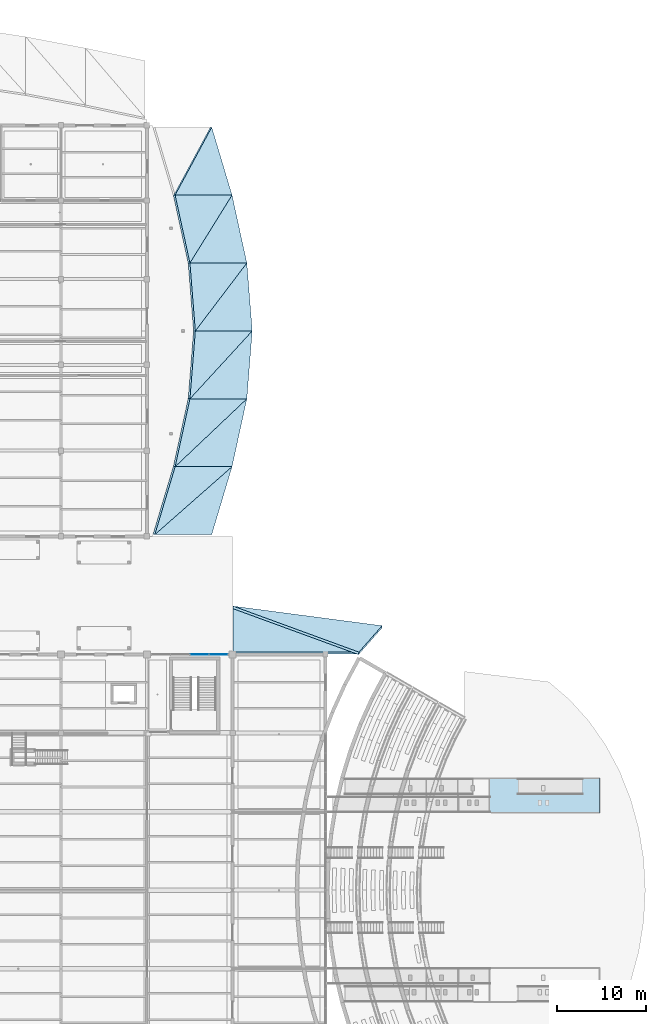
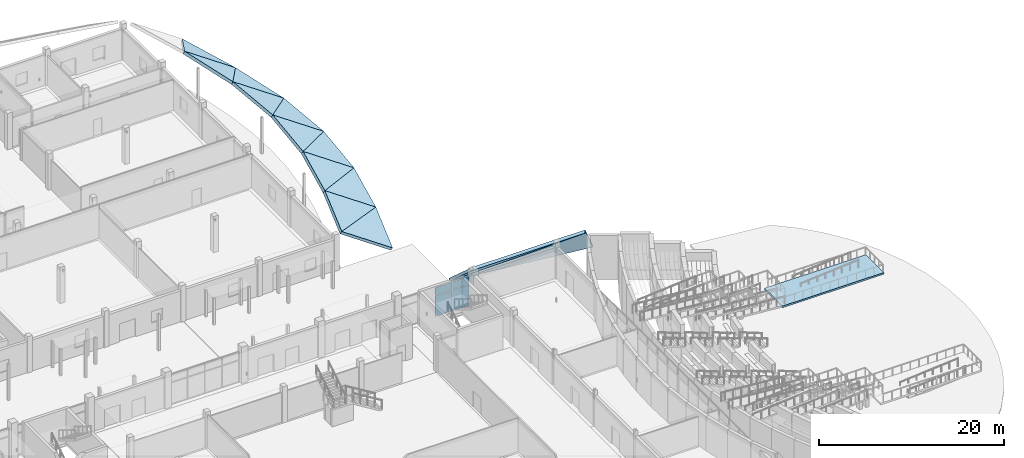
# One storey, part 70 of 116: 14 slabs, 4 plates, 2 elements without a shape of their own.
"""IFC4 building model written with IfcOpenShell, lengths in metres."""

from ifc_helpers import new_model, si_unit, direction, frame, origin, origin_2d, place, context, subcontext, project, spatial, polyline, rectangle, outline, extrude, material, layer, layer_set, type_object, element, aggregate, save


model = new_model("IFC4")

# Units and contexts
model_context = context("Model", 3, precision=1e-05, world=origin(), true_north=direction((0.0, 1.0)))
body_context = subcontext(model_context, "Body", "Model", "MODEL_VIEW")
ifc_project = project(units=[si_unit("LENGTHUNIT", "METRE"), si_unit("AREAUNIT", "SQUARE_METRE"), si_unit("VOLUMEUNIT", "CUBIC_METRE"), si_unit("PLANEANGLEUNIT", "RADIAN"), si_unit("MASSUNIT", "GRAM", prefix="KILO")], contexts=[model_context])

# Site, building, storey
site_placement = place(None, origin())
site = spatial("IfcSite", under=ifc_project, at=site_placement, CompositionType="ELEMENT")
building_placement = place(site_placement, origin())
building = spatial("IfcBuilding", under=site, at=building_placement, Name="Chalmorin Arch Market", CompositionType="ELEMENT")
storey_placement = place(building_placement, origin())
storey = spatial("IfcBuildingStorey", under=building, at=storey_placement, Name="L00", CompositionType="ELEMENT", Elevation=0.0)

# Slabs
ifc_material_1 = material(Name="Concrete C40/50", Category="concrete")
ifc_layer_1 = layer(ifc_material_1, 0.340087890625)
ifc_layer_set_1 = layer_set([ifc_layer_1], Name="Concrete C40/50")
slab_type_1 = type_object("IfcSlabType", Name="GreenMoundDeckSlab-340", PredefinedType="FLOOR", material=ifc_layer_set_1)
slab_1_placement = place(storey_placement, frame((138.931884765625, 59.050048828125, 4.780029296875), z_axis=(0.106623268368, 0.808507524617, 0.578746111244), x_axis=(0.429644281693, 0.487454634338, -0.760127470015)))
element("IfcSlab", 1, at=slab_1_placement, inside=storey, type_object=slab_type_1, Name="ETS-340-644", PredefinedType="FLOOR", context=body_context, shape_type="SweptSolid", body=[
    extrude(outline(polyline([(0.0, 0.0), (6.051745052918222, -4.440892098500626e-16), (-0.04315495044649875, 15.683662150187066), (0.0, 0.0)])), origin(), (0.0, 0.0, -1.0), 0.340087890625),
])
slab_2_placement = place(storey_placement, frame((124.85009765625, 59.050048828125, 4.780029296875), z_axis=(0.0, 0.666174541792, 0.745795870107), x_axis=(1.0, 0.0, 0.0)))
element("IfcSlab", 2, at=slab_2_placement, inside=storey, type_object=slab_type_1, Name="ETS-340-645", PredefinedType="FLOOR", context=body_context, shape_type="SweptSolid", body=[
    extrude(outline(polyline([(0.0, 0.0), (14.081787109375, 0.0), (0.0, 6.905243847772393), (0.0, 0.0)])), origin(), (0.0, 0.0, -1.0), 0.340087890625),
])
slab_3_placement = place(storey_placement, frame((118.365966796875, 110.199951171875, 4.580078125), z_axis=(0.560304287649, 0.167587318416, 0.811155716215), x_axis=(0.82279227276, 0.0, -0.56834221723)))
element("IfcSlab", 3, at=slab_3_placement, inside=storey, type_object=slab_type_1, Name="ETS-340-668", PredefinedType="FLOOR", context=body_context, shape_type="SweptSolid", body=[
    extrude(outline(polyline([(0.0, 0.0), (7.742072207519159, 0.0), (5.8717062769351, 7.709126002301025), (0.0, 0.0)])), origin(), (0.0, 0.0, -1.0), 0.340087890625),
])
slab_4_placement = place(storey_placement, frame((120.02392578125, 102.60009765625, 4.580078125), z_axis=(0.564023402935, 0.12304548586, 0.816539900648), x_axis=(0.82279227276, 0.0, -0.56834221723)))
element("IfcSlab", 4, at=slab_4_placement, inside=storey, type_object=slab_type_1, Name="ETS-340-670", PredefinedType="FLOOR", context=body_context, shape_type="SweptSolid", body=[
    extrude(outline(polyline([(0.0, 0.0), (7.742072207519159, 0.0), (6.3779163666216885, 7.658046767588507), (0.0, 0.0)])), origin(), (0.0, 0.0, -1.0), 0.340087890625),
])
slab_5_placement = place(storey_placement, frame((118.365966796875, 110.199951171875, 4.580078125), z_axis=(0.564023402935, 0.12304548586, 0.816539900648), x_axis=(0.213143651883, -0.977020871661, 0.0)))
element("IfcSlab", 5, at=slab_5_placement, inside=storey, type_object=slab_type_1, Name="ETS-340-671", PredefinedType="FLOOR", context=body_context, shape_type="SweptSolid", body=[
    extrude(outline(polyline([(0.0, 0.0), (7.778598938936719, 0.0), (1.3577500402637934, 7.622086124848254), (0.0, 0.0)])), origin(), (0.0, 0.0, -1.0), 0.340087890625),
])
slab_6_placement = place(storey_placement, frame((120.6298828125, 95.0, 4.580078125), z_axis=(0.567759608651, 0.045267566613, 0.821948826994), x_axis=(0.82279227276, 0.0, -0.56834221723)))
element("IfcSlab", 6, at=slab_6_placement, inside=storey, type_object=slab_type_1, Name="ETS-340-672", PredefinedType="FLOOR", context=body_context, shape_type="SweptSolid", body=[
    extrude(outline(polyline([(0.0, 0.0), (7.742072207519159, -5.551115123125783e-17), (7.2434954445818125, 7.607896523988545), (0.0, 0.0)])), origin(), (0.0, 0.0, -1.0), 0.340087890625),
])
slab_7_placement = place(storey_placement, frame((120.02392578125, 102.60009765625, 4.580078125), z_axis=(0.567759608651, 0.045267566613, 0.821948826994), x_axis=(0.07947794738, -0.996836624468, 0.0)))
element("IfcSlab", 7, at=slab_7_placement, inside=storey, type_object=slab_type_1, Name="ETS-340-673", PredefinedType="FLOOR", context=body_context, shape_type="SweptSolid", body=[
    extrude(outline(polyline([(0.0, 0.0), (7.6242159143257515, 0.0), (0.5062838386304358, 7.725500549555493), (0.0, 0.0)])), origin(), (0.0, 0.0, -1.0), 0.340087890625),
])
slab_8_placement = place(storey_placement, frame((120.02392578125, 87.39990234375, 4.580078125), z_axis=(0.567759608651, -0.045267566613, 0.821948826994), x_axis=(0.82279227276, 0.0, -0.56834221723)))
element("IfcSlab", 8, at=slab_8_placement, inside=storey, type_object=slab_type_1, Name="ETS-340-674", PredefinedType="FLOOR", context=body_context, shape_type="SweptSolid", body=[
    extrude(outline(polyline([(0.0, 0.0), (7.742072207519159, 5.551115123125783e-17), (8.240648970456505, 7.607896523988545), (0.0, 0.0)])), origin(), (0.0, 0.0, -1.0), 0.340087890625),
])
slab_9_placement = place(storey_placement, frame((120.6298828125, 95.0, 4.580078125), z_axis=(0.567759608651, -0.045267566613, 0.821948826994), x_axis=(-0.07947794738, -0.996836624468, 0.0)))
element("IfcSlab", 9, at=slab_9_placement, inside=storey, type_object=slab_type_1, Name="ETS-340-675", PredefinedType="FLOOR", context=body_context, shape_type="SweptSolid", body=[
    extrude(outline(polyline([(0.0, 0.0), (7.6242159143257515, 0.0), (-0.5062838386304358, 7.725500549555493), (0.0, 0.0)])), origin(), (0.0, 0.0, -1.0), 0.340087890625),
])
slab_10_placement = place(storey_placement, frame((118.365966796875, 79.800048828125, 4.580078125), z_axis=(0.564023402935, -0.12304548586, 0.816539900648), x_axis=(0.82279227276, 0.0, -0.56834221723)))
element("IfcSlab", 10, at=slab_10_placement, inside=storey, type_object=slab_type_1, Name="ETS-340-676", PredefinedType="FLOOR", context=body_context, shape_type="SweptSolid", body=[
    extrude(outline(polyline([(0.0, 0.0), (7.742072207519159, 0.0), (9.106228048416629, 7.658046767588507), (0.0, 0.0)])), origin(), (0.0, 0.0, -1.0), 0.340087890625),
])
slab_11_placement = place(storey_placement, frame((120.02392578125, 87.39990234375, 4.580078125), z_axis=(0.564023402935, -0.12304548586, 0.816539900648), x_axis=(-0.213143651883, -0.977020871661, 0.0)))
element("IfcSlab", 11, at=slab_11_placement, inside=storey, type_object=slab_type_1, Name="ETS-340-677", PredefinedType="FLOOR", context=body_context, shape_type="SweptSolid", body=[
    extrude(outline(polyline([(0.0, 0.0), (7.778598938936719, 0.0), (-1.3577500402637934, 7.622086124848254), (0.0, 0.0)])), origin(), (0.0, 0.0, -1.0), 0.340087890625),
])
slab_12_placement = place(storey_placement, frame((116.093017578125, 72.199951171875, 4.580078125), z_axis=(0.560318417356, -0.167591544619, 0.811145082796), x_axis=(0.822782086388, 0.0, -0.568356963817)))
element("IfcSlab", 12, at=slab_12_placement, inside=storey, type_object=slab_type_1, Name="ETS-340-678", PredefinedType="FLOOR", context=body_context, shape_type="SweptSolid", body=[
    extrude(outline(polyline([(0.0, 0.0), (7.74187133174288, -1.1102230246251565e-16), (9.61221410673166, 7.709131620207987), (0.0, 0.0)])), origin(), (0.0, 0.0, -1.0), 0.340087890625),
])
slab_13_placement = place(storey_placement, frame((118.365966796875, 79.800048828125, 4.580078125), z_axis=(0.560305977656, -0.167569824991, 0.811158162848), x_axis=(-0.286528956993, -0.958071582297, 0.0)))
element("IfcSlab", 13, at=slab_13_placement, inside=storey, type_object=slab_type_1, Name="ETS-340-679", PredefinedType="FLOOR", context=body_context, shape_type="SweptSolid", body=[
    extrude(outline(polyline([(0.0, 0.0), (7.932703356079376, 0.0), (-1.8252230336557154, 7.523844957457138), (0.0, 0.0)])), origin(), (0.0, 0.0, -1.0), 0.340087890625),
])

# Ramp, slab
ramp_type = type_object("IfcRampType", Name="AmphitheatreAccessibleRamp-1800", PredefinedType="HALF_TURN_RAMP", material=ifc_material_1)
ramp_placement = place(storey_placement, origin())
ramp = element("IfcRamp", 14, at=ramp_placement, inside=storey, type_object=ramp_type, material=ifc_material_1, Name="RMP-02", PredefinedType="HALF_TURN_RAMP")
ifc_layer_2 = layer(ifc_material_1, 0.2099609375)
ifc_layer_set_2 = layer_set([ifc_layer_2], Name="Concrete C40/50")
slab_type_2 = type_object("IfcSlabType", Name="RampLandingSlab-210", PredefinedType="LANDING", material=ifc_layer_set_2)
slab_14_placement = place(storey_placement, frame((0.0, 0.0, 0.389892578125)))
slab_14 = element("IfcSlab", 15, at=slab_14_placement, type_object=slab_type_2, Name="RLS-02", PredefinedType="LANDING", context=body_context, shape_type="SweptSolid", body=[
    extrude(outline(polyline([(153.2490234375, 41.050048828125), (165.89990234375, 41.050048828125), (165.89990234375, 44.949951171875), (153.2490234375, 44.949951171875), (153.2490234375, 41.050048828125)])), origin(), (0.0, 0.0, 1.0), 0.210205078125),
])
aggregate(ramp, [slab_14])

# Curtain wall, plates
ifc_material_2 = material(Name="Aluminium 6063-T6", Category="aluminium")
ifc_layer_3 = layer(ifc_material_2, 0.159912109375)
ifc_layer_set_3 = layer_set([ifc_layer_3], Name="Aluminium 6063-T6")
curtain_wall_type = type_object("IfcCurtainWallType", Name="RiverfrontStorefrontCurtainWall-CW2-8580x3990", PredefinedType="NOTDEFINED", material=ifc_layer_set_3)
curtain_wall_placement = place(storey_placement, origin())
curtain_wall = element("IfcCurtainWall", 16, at=curtain_wall_placement, inside=storey, type_object=curtain_wall_type, Name="CW-02-023", PredefinedType="NOTDEFINED")
ifc_material_3 = material(Name="Powder-coated Aluminium Panel", Category="aluminium")
ifc_layer_4 = layer(ifc_material_3, 0.0400390625)
ifc_layer_set_4 = layer_set([ifc_layer_4], Name="Powder-coated Aluminium Panel")
plate_type_1 = type_object("IfcPlateType", Name="ShadowboxSpandrelPanel-40", PredefinedType="CURTAIN_PANEL", material=ifc_layer_set_4)
plate_1_placement = place(storey_placement, frame((121.072509765625, 58.800048828125, 2.91455078125), z_axis=(0.0, 0.0, 1.0), x_axis=(1.0, 0.0, 0.0)))
plate_1 = element("IfcPlate", 17, at=plate_1_placement, type_object=plate_type_1, Name="SP-40-023-03B", PredefinedType="CURTAIN_PANEL", context=body_context, shape_type="SweptSolid", body=[
    extrude(rectangle(XDim=2.06494140625, YDim=0.0400390625, at=origin_2d()), origin(), (0.0, 0.0, 1.0), 1.001220703125),
])
plate_2_placement = place(storey_placement, frame((123.217529296875, 58.800048828125, 2.91455078125), z_axis=(0.0, 0.0, 1.0), x_axis=(1.0, 0.0, 0.0)))
plate_2 = element("IfcPlate", 18, at=plate_2_placement, type_object=plate_type_1, Name="SP-40-023-04B", PredefinedType="CURTAIN_PANEL", context=body_context, shape_type="SweptSolid", body=[
    extrude(rectangle(XDim=2.06494140625, YDim=0.0400390625, at=origin_2d()), origin(), (0.0, 0.0, 1.0), 1.001220703125),
])
ifc_material_4 = material(Name="Low-E Tempered Glass", Category="glass")
ifc_layer_5 = layer(ifc_material_4, 0.028076171875)
ifc_layer_set_5 = layer_set([ifc_layer_5], Name="Low-E Tempered Glass")
plate_type_2 = type_object("IfcPlateType", Name="VisionIGUPanel-28", PredefinedType="CURTAIN_PANEL", material=ifc_layer_set_5)
plate_3_placement = place(storey_placement, frame((121.072509765625, 58.800048828125, 0.070068359375), z_axis=(0.0, 0.0, 1.0), x_axis=(1.0, 0.0, 0.0)))
plate_3 = element("IfcPlate", 19, at=plate_3_placement, type_object=plate_type_2, Name="GL-28-023-03A", PredefinedType="CURTAIN_PANEL", context=body_context, shape_type="SweptSolid", body=[
    extrude(rectangle(XDim=2.06494140625, YDim=0.028076171875, at=origin_2d()), origin(), (0.0, 0.0, 1.0), 2.7548828125),
])
plate_4_placement = place(storey_placement, frame((123.217529296875, 58.800048828125, 0.070068359375), z_axis=(0.0, 0.0, 1.0), x_axis=(1.0, 0.0, 0.0)))
plate_4 = element("IfcPlate", 20, at=plate_4_placement, type_object=plate_type_2, Name="GL-28-023-04A", PredefinedType="CURTAIN_PANEL", context=body_context, shape_type="SweptSolid", body=[
    extrude(rectangle(XDim=2.06494140625, YDim=0.028076171875, at=origin_2d()), origin(), (0.0, 0.0, 1.0), 2.7548828125),
])
aggregate(curtain_wall, [plate_3, plate_1, plate_4, plate_2])

save(model, "model.ifc")
